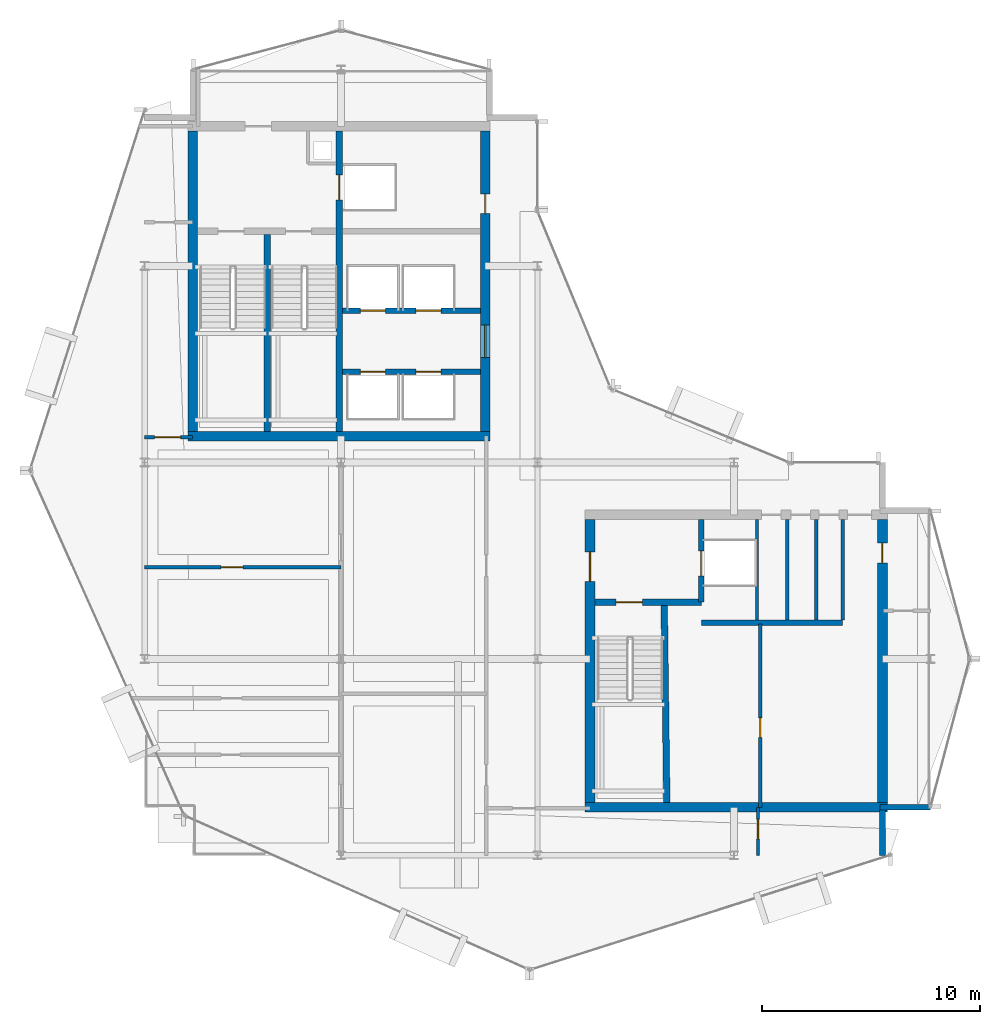
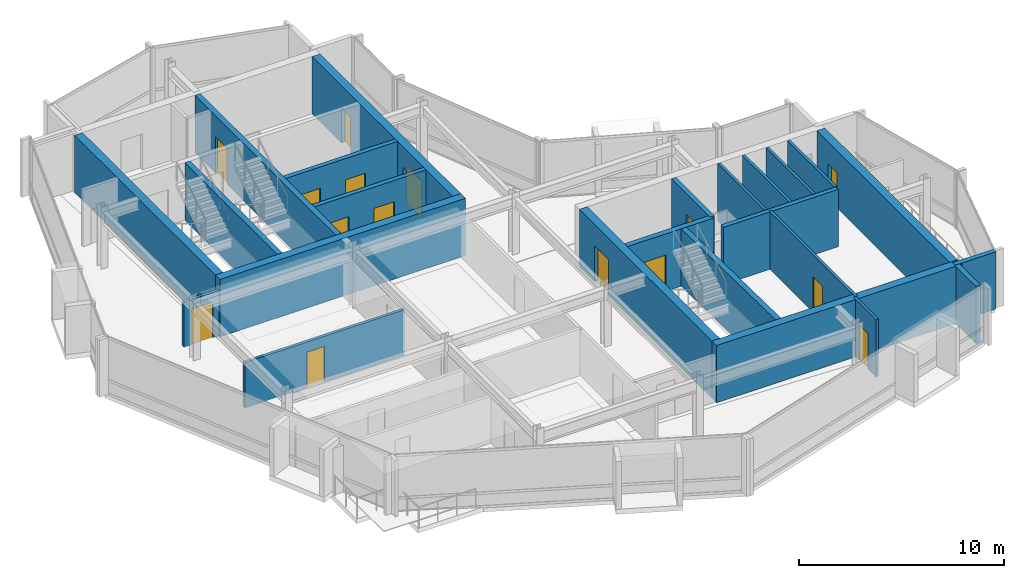
# One storey, part 14 of 19: 24 walls, 15 doors, 15 openings.
"""IFC4 building model written with IfcOpenShell, lengths in metres."""

from ifc_helpers import new_model, si_unit, direction, frame, frame_2d, origin, place, context, subcontext, project, spatial, rectangle, extrude, material, layer, layer_set, type_object, element, fill, save


model = new_model("IFC4")

# Units and contexts
model_context = context("Model", 3, precision=1e-05, world=origin(), true_north=direction((0.0, 1.0)))
body_context = subcontext(model_context, "Body", "Model", "MODEL_VIEW")
ifc_project = project(units=[si_unit("LENGTHUNIT", "METRE"), si_unit("AREAUNIT", "SQUARE_METRE"), si_unit("VOLUMEUNIT", "CUBIC_METRE"), si_unit("PLANEANGLEUNIT", "RADIAN"), si_unit("MASSUNIT", "GRAM", prefix="KILO")], contexts=[model_context])

# Site, building, storey
site_placement = place(None, origin())
site = spatial("IfcSite", under=ifc_project, at=site_placement, CompositionType="ELEMENT")
building_placement = place(site_placement, origin())
building = spatial("IfcBuilding", under=site, at=building_placement, Name="Solvaryn Broadcast Tower", CompositionType="ELEMENT")
storey_placement = place(building_placement, frame((0.0, 0.0, 240.800048828125)))
storey = spatial("IfcBuildingStorey", under=building, at=storey_placement, Name="L60", CompositionType="ELEMENT", Elevation=240.800048828125)

# Walls
ifc_material_1 = material(Name="Concrete f'c 70 MPa", Category="concrete")
ifc_layer_1 = layer(ifc_material_1, 0.449951171875)
ifc_layer_set_1 = layer_set([ifc_layer_1], Name="CW-SHEAR-450")
wall_type_1 = type_object("IfcWallType", Name="CW-SHEAR-450", PredefinedType="SHEAR", material=ifc_layer_set_1)
wall_1_placement = place(storey_placement, frame((10.97509765625, 28.199951171875, 0.0), z_axis=(0.0, 0.0, 1.0), x_axis=(1.0, 0.0, 0.0)))
element("IfcWall", 1, at=wall_1_placement, inside=storey, type_object=wall_type_1, Name="L60 West Core South Shear Wall", PredefinedType="SHEAR", context=body_context, shape_type="SweptSolid", body=[
    extrude(rectangle(XDim=13.849853515625, YDim=0.449951171875, at=frame_2d((6.9248046875, 0.0))), origin(), (0.0, 0.0, 1.0), 3.419921875),
])
wall_2_placement = place(storey_placement, frame((11.199951171875, 42.175048828125, 0.0), z_axis=(0.0, 0.0, 1.0), x_axis=(0.0, -1.0, 0.0)))
element("IfcWall", 2, at=wall_2_placement, inside=storey, type_object=wall_type_1, Name="L60 West Core West Shear Wall", PredefinedType="SHEAR", context=body_context, shape_type="SweptSolid", body=[
    extrude(rectangle(XDim=13.75, YDim=0.449951171875, at=frame_2d((6.875, 0.0))), origin(), (0.0, 0.0, 1.0), 3.419921875),
])

# Wall, openings, doors
wall_3_placement = place(storey_placement, frame((24.60009765625, 28.425048828125, 0.0), z_axis=(0.0, 0.0, 1.0), x_axis=(0.0, 1.0, 0.0)))
wall_3 = element("IfcWall", 3, at=wall_3_placement, inside=storey, type_object=wall_type_1, Name="L60 West Core East Shear Wall", PredefinedType="SHEAR", context=body_context, shape_type="SweptSolid", body=[
    extrude(rectangle(XDim=13.75, YDim=0.449951171875, at=frame_2d((6.875, 0.0))), origin(), (0.0, 0.0, 1.0), 3.419921875),
])
opening_1_placement = place(wall_3_placement, frame((3.375, 0.0, 0.0)))
opening_1 = element("IfcOpeningElement", 4, at=opening_1_placement, cuts=wall_3, Name="Opening FD60A", PredefinedType="OPENING", context=body_context, shape_type="SweptSolid", body=[
    extrude(rectangle(XDim=1.5, YDim=2.199951171875, at=frame_2d((0.75, 1.10009765625))), frame((0.0, 0.235107421875, 0.0), z_axis=(0.0, -1.0, 0.0), x_axis=(1.0, 0.0, 0.0)), (0.0, 0.0, 1.0), 0.469970703125),
])
opening_2_placement = place(wall_3_placement, frame((9.97509765625, 0.0, 0.0)))
opening_2 = element("IfcOpeningElement", 5, at=opening_2_placement, cuts=wall_3, Name="Opening FD60C", PredefinedType="OPENING", context=body_context, shape_type="SweptSolid", body=[
    extrude(rectangle(XDim=0.89990234375, YDim=2.10009765625, at=frame_2d((0.449951171875, 1.050048828125))), frame((0.0, 0.235107421875, 0.0), z_axis=(0.0, -1.0, 0.0), x_axis=(1.0, 0.0, 0.0)), (0.0, 0.0, 1.0), 0.469970703125),
])
ifc_material_2 = material(Name="Flush Acoustic Steel and Timber Door Assembly", Category="steel")
door_type_1 = type_object("IfcDoorType", Name="FD60-CORR-1500X2200", OperationType="NOTDEFINED", PredefinedType="DOOR", material=ifc_material_2)
door_1_placement = place(opening_1_placement, origin())
door_1 = element("IfcDoor", 6, at=door_1_placement, inside=storey, type_object=door_type_1, Name="L60 West Elevator Lobby Corridor Door", OperationType="DOUBLE_DOOR_SINGLE_SWING", OverallHeight=2.199951171875, OverallWidth=1.5, PredefinedType="DOOR", context=body_context, shape_type="SweptSolid", body=[
    extrude(rectangle(XDim=1.5, YDim=2.199951171875, at=frame_2d((0.75, 1.10009765625))), frame((0.0, 0.02490234375, 0.0), z_axis=(0.0, -1.0, 0.0), x_axis=(1.0, 0.0, 0.0)), (0.0, 0.0, 1.0), 0.050048828125),
])
fill(opening_1, door_1)
ifc_material_3 = material(Name="Flush Acoustic Steel and Timber Door Assembly", Category="steel")
door_type_2 = type_object("IfcDoorType", Name="FD60-SERV-900X2100", OperationType="NOTDEFINED", PredefinedType="DOOR", material=ifc_material_3)
door_2_placement = place(opening_2_placement, origin())
door_2 = element("IfcDoor", 7, at=door_2_placement, inside=storey, type_object=door_type_2, Name="L60 West Core Service Door 1", OperationType="SINGLE_SWING_LEFT", OverallHeight=2.10009765625, OverallWidth=0.89990234375, PredefinedType="DOOR", context=body_context, shape_type="SweptSolid", body=[
    extrude(rectangle(XDim=0.89990234375, YDim=2.10009765625, at=frame_2d((0.449951171875, 1.050048828125))), frame((0.0, 0.02490234375, 0.0), z_axis=(0.0, -1.0, 0.0), x_axis=(1.0, 0.0, 0.0)), (0.0, 0.0, 1.0), 0.050048828125),
])
fill(opening_2, door_2)

# Wall
wall_4_placement = place(storey_placement, frame((29.175048828125, 11.199951171875, 0.0), z_axis=(0.0, 0.0, 1.0), x_axis=(1.0, 0.0, 0.0)))
element("IfcWall", 8, at=wall_4_placement, inside=storey, type_object=wall_type_1, Name="L60 East Core South Shear Wall", PredefinedType="SHEAR", context=body_context, shape_type="SweptSolid", body=[
    extrude(rectangle(XDim=13.849853515625, YDim=0.449951171875, at=frame_2d((6.9248046875, 0.0))), origin(), (0.0, 0.0, 1.0), 3.419921875),
])

# Wall, opening, door
wall_5_placement = place(storey_placement, frame((29.39990234375, 24.375, 0.0), z_axis=(0.0, 0.0, 1.0), x_axis=(0.0, -1.0, 0.0)))
wall_5 = element("IfcWall", 9, at=wall_5_placement, inside=storey, type_object=wall_type_1, Name="L60 East Core West Shear Wall", PredefinedType="SHEAR", context=body_context, shape_type="SweptSolid", body=[
    extrude(rectangle(XDim=12.949951171875, YDim=0.449951171875, at=frame_2d((6.47509765625, 0.0))), origin(), (0.0, 0.0, 1.0), 3.419921875),
])
opening_3_placement = place(wall_5_placement, frame((1.47509765625, 0.0, 0.0)))
opening_3 = element("IfcOpeningElement", 10, at=opening_3_placement, cuts=wall_5, Name="Opening FD90B", PredefinedType="OPENING", context=body_context, shape_type="SweptSolid", body=[
    extrude(rectangle(XDim=1.35009765625, YDim=2.14990234375, at=frame_2d((0.675048828125, 1.074951171875))), frame((0.0, 0.235107421875, 0.0), z_axis=(0.0, -1.0, 0.0), x_axis=(1.0, 0.0, 0.0)), (0.0, 0.0, 1.0), 0.469970703125),
])
ifc_material_4 = material(Name="Flush Acoustic Steel and Timber Door Assembly", Category="steel")
door_type_3 = type_object("IfcDoorType", Name="FD90-LOBBY-1350X2150", OperationType="NOTDEFINED", PredefinedType="DOOR", material=ifc_material_4)
door_3_placement = place(opening_3_placement, origin())
door_3 = element("IfcDoor", 11, at=door_3_placement, inside=storey, type_object=door_type_3, Name="L60 East FSAE Lobby Door", OperationType="SINGLE_SWING_RIGHT", OverallHeight=2.14990234375, OverallWidth=1.35009765625, PredefinedType="DOOR", context=body_context, shape_type="SweptSolid", body=[
    extrude(rectangle(XDim=1.35009765625, YDim=2.14990234375, at=frame_2d((0.675048828125, 1.074951171875))), frame((0.0, 0.02490234375, 0.0), z_axis=(0.0, -1.0, 0.0), x_axis=(1.0, 0.0, 0.0)), (0.0, 0.0, 1.0), 0.050048828125),
])
fill(opening_3, door_3)

wall_6_placement = place(storey_placement, frame((42.800048828125, 11.425048828125, 0.0), z_axis=(0.0, 0.0, 1.0), x_axis=(0.0, 1.0, 0.0)))
wall_6 = element("IfcWall", 12, at=wall_6_placement, inside=storey, type_object=wall_type_1, Name="L60 East Core East Shear Wall", PredefinedType="SHEAR", context=body_context, shape_type="SweptSolid", body=[
    extrude(rectangle(XDim=12.949951171875, YDim=0.449951171875, at=frame_2d((6.47509765625, 0.0))), origin(), (0.0, 0.0, 1.0), 3.419921875),
])
opening_4_placement = place(wall_6_placement, frame((10.97509765625, 0.0, 0.0)))
opening_4 = element("IfcOpeningElement", 13, at=opening_4_placement, cuts=wall_6, Name="Opening FD60C", PredefinedType="OPENING", context=body_context, shape_type="SweptSolid", body=[
    extrude(rectangle(XDim=0.89990234375, YDim=2.10009765625, at=frame_2d((0.449951171875, 1.050048828125))), frame((0.0, 0.235107421875, 0.0), z_axis=(0.0, -1.0, 0.0), x_axis=(1.0, 0.0, 0.0)), (0.0, 0.0, 1.0), 0.469970703125),
])
door_4_placement = place(opening_4_placement, origin())
door_4 = element("IfcDoor", 14, at=door_4_placement, inside=storey, type_object=door_type_2, Name="L60 Upper East Studio Door", OperationType="SINGLE_SWING_RIGHT", OverallHeight=2.10009765625, OverallWidth=0.89990234375, PredefinedType="DOOR", context=body_context, shape_type="SweptSolid", body=[
    extrude(rectangle(XDim=0.89990234375, YDim=2.10009765625, at=frame_2d((0.449951171875, 1.050048828125))), frame((0.0, 0.02490234375, 0.0), z_axis=(0.0, -1.0, 0.0), x_axis=(1.0, 0.0, 0.0)), (0.0, 0.0, 1.0), 0.050048828125),
])
fill(opening_4, door_4)

# Walls
ifc_material_5 = material(Name="Concrete f'c 50 MPa", Category="concrete")
ifc_layer_2 = layer(ifc_material_5, 0.260009765625)
ifc_layer_set_2 = layer_set([ifc_layer_2], Name="EW-PIER-260")
wall_type_2 = type_object("IfcWallType", Name="EW-PIER-260", PredefinedType="SOLIDWALL", material=ifc_layer_set_2)
wall_7_placement = place(storey_placement, frame((42.800048828125, 9.0, 0.0), z_axis=(0.0, 0.0, 1.0), x_axis=(0.0, 1.0, 0.0)))
element("IfcWall", 15, at=wall_7_placement, inside=storey, type_object=wall_type_2, Name="L60 Notched Corner Pier Wall NSE1", PredefinedType="SOLIDWALL", context=body_context, shape_type="SweptSolid", body=[
    extrude(rectangle(XDim=2.080078125, YDim=0.260009765625, at=frame_2d((1.0400390625, 0.0))), origin(), (0.0, 0.0, 1.0), 3.419921875),
])
wall_8_placement = place(storey_placement, frame((42.679931640625, 11.199951171875, 0.0), z_axis=(0.0, 0.0, 1.0), x_axis=(1.0, 0.0, 0.0)))
element("IfcWall", 16, at=wall_8_placement, inside=storey, type_object=wall_type_2, Name="L60 Notched Corner Pier Wall NSE2", PredefinedType="SOLIDWALL", context=body_context, shape_type="SweptSolid", body=[
    extrude(rectangle(XDim=2.320068359375, YDim=0.260009765625, at=frame_2d((1.16015625, 0.0))), origin(), (0.0, 0.0, 1.0), 3.419921875),
])

# Wall, opening, door
ifc_material_6 = material(Name="Metal-Stud Service Core Partition")
ifc_layer_3 = layer(ifc_material_6, 0.14990234375)
ifc_layer_set_3 = layer_set([ifc_layer_3], Name="IW-PART-150")
wall_type_3 = type_object("IfcWallType", Name="IW-PART-150", PredefinedType="PARTITIONING", material=ifc_layer_set_3)
wall_9_placement = place(storey_placement, frame((37.199951171875, 11.199951171875, 0.0), z_axis=(0.0, 0.0, 1.0), x_axis=(0.0, 1.0, 0.0)))
wall_9 = element("IfcWall", 17, at=wall_9_placement, inside=storey, type_object=wall_type_3, Name="L60 Interior Partition IW-L60-RPM-V", PredefinedType="PARTITIONING", context=body_context, shape_type="SweptSolid", body=[
    extrude(rectangle(XDim=8.400146484375, YDim=0.14990234375, at=frame_2d((4.2001953125, 0.0))), origin(), (0.0, 0.0, 1.0), 3.419921875),
])
opening_5_placement = place(wall_9_placement, frame((3.199951171875, 0.0, 0.0)))
opening_5 = element("IfcOpeningElement", 18, at=opening_5_placement, cuts=wall_9, Name="Opening FD60C", PredefinedType="OPENING", context=body_context, shape_type="SweptSolid", body=[
    extrude(rectangle(XDim=0.89990234375, YDim=2.10009765625, at=frame_2d((0.449951171875, 1.050048828125))), frame((0.0, 0.0849609375, 0.0), z_axis=(0.0, -1.0, 0.0), x_axis=(1.0, 0.0, 0.0)), (0.0, 0.0, 1.0), 0.169921875),
])
door_5_placement = place(opening_5_placement, origin())
door_5 = element("IfcDoor", 19, at=door_5_placement, inside=storey, type_object=door_type_2, Name="L60 Door DR-L60-RPM1", OperationType="SINGLE_SWING_LEFT", OverallHeight=2.10009765625, OverallWidth=0.89990234375, PredefinedType="DOOR", context=body_context, shape_type="SweptSolid", body=[
    extrude(rectangle(XDim=0.89990234375, YDim=2.10009765625, at=frame_2d((0.449951171875, 1.050048828125))), frame((0.0, 0.02490234375, 0.0), z_axis=(0.0, -1.0, 0.0), x_axis=(1.0, 0.0, 0.0)), (0.0, 0.0, 1.0), 0.050048828125),
])
fill(opening_5, door_5)

# Walls
for number, where, z_axis, x_axis, name in (
    (20, (37.050048828125, 19.780029296875, 0.0), (0.0, 0.0, 1.0), (0.0, 1.0, 0.0), "L60 Interior Partition IW-L60-CE-FL2E"),
    (21, (38.43994140625, 19.780029296875, 0.0), (0.0, 0.0, 1.0), (0.0, 1.0, 0.0), "L60 Interior Partition IW-L60-CE-V1"),
    (22, (39.77001953125, 19.780029296875, 0.0), (0.0, 0.0, 1.0), (0.0, 1.0, 0.0), "L60 Interior Partition IW-L60-CE-V2"),
    (23, (40.97998046875, 19.780029296875, 0.0), (0.0, 0.0, 1.0), (0.0, 1.0, 0.0), "L60 Interior Partition IW-L60-CE-V3"),
):
    element("IfcWall", number, at=place(storey_placement, frame(where, z_axis=z_axis, x_axis=x_axis)), inside=storey, type_object=wall_type_3, Name=name, PredefinedType="PARTITIONING", context=body_context, shape_type="SweptSolid", body=[
        extrude(rectangle(XDim=4.594970703125, YDim=0.14990234375, at=frame_2d((2.29736328125, 0.0))), origin(), (0.0, 0.0, 1.0), 3.419921875),
    ])

# Wall, opening, door
wall_10_placement = place(storey_placement, frame((37.10009765625, 9.0, 0.0), z_axis=(0.0, 0.0, 1.0), x_axis=(0.0, 1.0, 0.0)))
wall_10 = element("IfcWall", 24, at=wall_10_placement, inside=storey, type_object=wall_type_3, Name="L60 Interior Partition IW-L60-SC-V", PredefinedType="PARTITIONING", context=body_context, shape_type="SweptSolid", body=[
    extrude(rectangle(XDim=2.199951171875, YDim=0.14990234375, at=frame_2d((1.10009765625, 0.0))), origin(), (0.0, 0.0, 1.0), 3.419921875),
])
opening_6_placement = place(wall_10_placement, frame((0.75, 0.0, 0.0)))
opening_6 = element("IfcOpeningElement", 25, at=opening_6_placement, cuts=wall_10, Name="Opening FD60C", PredefinedType="OPENING", context=body_context, shape_type="SweptSolid", body=[
    extrude(rectangle(XDim=0.89990234375, YDim=2.10009765625, at=frame_2d((0.449951171875, 1.050048828125))), frame((0.0, 0.0849609375, 0.0), z_axis=(0.0, -1.0, 0.0), x_axis=(1.0, 0.0, 0.0)), (0.0, 0.0, 1.0), 0.169921875),
])
door_6_placement = place(opening_6_placement, origin())
door_6 = element("IfcDoor", 26, at=door_6_placement, inside=storey, type_object=door_type_2, Name="L60 Door DR-L60-SC1", OperationType="SINGLE_SWING_RIGHT", OverallHeight=2.10009765625, OverallWidth=0.89990234375, PredefinedType="DOOR", context=body_context, shape_type="SweptSolid", body=[
    extrude(rectangle(XDim=0.89990234375, YDim=2.10009765625, at=frame_2d((0.449951171875, 1.050048828125))), frame((0.0, 0.02490234375, 0.0), z_axis=(0.0, -1.0, 0.0), x_axis=(1.0, 0.0, 0.0)), (0.0, 0.0, 1.0), 0.050048828125),
])
fill(opening_6, door_6)

ifc_material_7 = material(Name="Metal-Stud Gypsum Office Partition")
ifc_layer_4 = layer(ifc_material_7, 0.159912109375)
ifc_layer_set_4 = layer_set([ifc_layer_4], Name="IW-PART-160")
wall_type_4 = type_object("IfcWallType", Name="IW-PART-160", PredefinedType="PARTITIONING", material=ifc_layer_set_4)
wall_11_placement = place(storey_placement, frame((9.0, 28.14990234375, 0.0), z_axis=(0.0, 0.0, 1.0), x_axis=(1.0, 0.0, 0.0)))
wall_11 = element("IfcWall", 27, at=wall_11_placement, inside=storey, type_object=wall_type_4, Name="L60 Interior Partition IW-L60-WM-S", PredefinedType="PARTITIONING", context=body_context, shape_type="SweptSolid", body=[
    extrude(rectangle(XDim=2.199951171875, YDim=0.159912109375, at=frame_2d((1.10009765625, 0.0))), origin(), (0.0, 0.0, 1.0), 2.70703125),
])
opening_7_placement = place(wall_11_placement, frame((0.449951171875, 0.0, 0.0)))
opening_7 = element("IfcOpeningElement", 28, at=opening_7_placement, cuts=wall_11, Name="Opening ID04", PredefinedType="OPENING", context=body_context, shape_type="SweptSolid", body=[
    extrude(rectangle(XDim=1.199951171875, YDim=2.14990234375, at=frame_2d((0.60009765625, 1.074951171875))), frame((0.0, 0.090087890625, 0.0), z_axis=(0.0, -1.0, 0.0), x_axis=(1.0, 0.0, 0.0)), (0.0, 0.0, 1.0), 0.179931640625),
])
ifc_material_8 = material(Name="Flush Acoustic Steel and Timber Door Assembly", Category="steel")
door_type_4 = type_object("IfcDoorType", Name="ID-04-1200X2150", OperationType="NOTDEFINED", PredefinedType="DOOR", material=ifc_material_8)
door_7_placement = place(opening_7_placement, origin())
door_7 = element("IfcDoor", 29, at=door_7_placement, inside=storey, type_object=door_type_4, Name="L60 Door DR-L60-WM0", OperationType="SINGLE_SWING_RIGHT", OverallHeight=2.14990234375, OverallWidth=1.199951171875, PredefinedType="DOOR", context=body_context, shape_type="SweptSolid", body=[
    extrude(rectangle(XDim=1.199951171875, YDim=2.14990234375, at=frame_2d((0.60009765625, 1.074951171875))), frame((0.0, 0.02490234375, 0.0), z_axis=(0.0, -1.0, 0.0), x_axis=(1.0, 0.0, 0.0)), (0.0, 0.0, 1.0), 0.050048828125),
])
fill(opening_7, door_7)

wall_12_placement = place(storey_placement, frame((9.0, 22.199951171875, 0.0), z_axis=(0.0, 0.0, 1.0), x_axis=(1.0, 0.0, 0.0)))
wall_12 = element("IfcWall", 30, at=wall_12_placement, inside=storey, type_object=wall_type_4, Name="L60 Interior Partition IW-L60-SWW-H3", PredefinedType="PARTITIONING", context=body_context, shape_type="SweptSolid", body=[
    extrude(rectangle(XDim=9.0, YDim=0.159912109375, at=frame_2d((4.5, 0.0))), origin(), (0.0, 0.0, 1.0), 2.70703125),
])
opening_8_placement = place(wall_12_placement, frame((3.5, 0.0, 0.0)))
opening_8 = element("IfcOpeningElement", 31, at=opening_8_placement, cuts=wall_12, Name="Opening ID02", PredefinedType="OPENING", context=body_context, shape_type="SweptSolid", body=[
    extrude(rectangle(XDim=1.0, YDim=2.10009765625, at=frame_2d((0.5, 1.050048828125))), frame((0.0, 0.090087890625, 0.0), z_axis=(0.0, -1.0, 0.0), x_axis=(1.0, 0.0, 0.0)), (0.0, 0.0, 1.0), 0.179931640625),
])
ifc_material_9 = material(Name="Flush Acoustic Steel and Timber Door Assembly", Category="steel")
door_type_5 = type_object("IfcDoorType", Name="ID-02-1000X2100", OperationType="NOTDEFINED", PredefinedType="DOOR", material=ifc_material_9)
door_8_placement = place(opening_8_placement, origin())
door_8 = element("IfcDoor", 32, at=door_8_placement, inside=storey, type_object=door_type_5, Name="L60 Door DR-L60-SWW-3", OperationType="SINGLE_SWING_RIGHT", OverallHeight=2.10009765625, OverallWidth=1.0, PredefinedType="DOOR", context=body_context, shape_type="SweptSolid", body=[
    extrude(rectangle(XDim=1.0, YDim=2.10009765625, at=frame_2d((0.5, 1.050048828125))), frame((0.0, 0.02490234375, 0.0), z_axis=(0.0, -1.0, 0.0), x_axis=(1.0, 0.0, 0.0)), (0.0, 0.0, 1.0), 0.050048828125),
])
fill(opening_8, door_8)

# Wall, openings, doors
ifc_material_10 = material(Name="Concrete f'c 60 MPa", Category="concrete")
ifc_layer_5 = layer(ifc_material_10, 0.25)
ifc_layer_set_5 = layer_set([ifc_layer_5], Name="SW-SHAFT-250")
wall_type_5 = type_object("IfcWallType", Name="SW-SHAFT-250", PredefinedType="PARTITIONING", material=ifc_layer_set_5)
wall_13_placement = place(storey_placement, frame((18.070068359375, 31.14990234375, 0.0), z_axis=(0.0, 0.0, 1.0), x_axis=(1.0, 0.0, 0.0)))
wall_13 = element("IfcWall", 33, at=wall_13_placement, inside=storey, type_object=wall_type_5, Name="L60 High-Rise Lift Bank South Wall", PredefinedType="PARTITIONING", context=body_context, shape_type="SweptSolid", body=[
    extrude(rectangle(XDim=6.304931640625, YDim=0.25, at=frame_2d((3.15234375, 0.0))), origin(), (0.0, 0.0, 1.0), 3.419921875),
])
opening_9_placement = place(wall_13_placement, frame((0.804931640625, 0.0, 0.0)))
opening_9 = element("IfcOpeningElement", 34, at=opening_9_placement, cuts=wall_13, Name="Opening LD01", PredefinedType="OPENING", context=body_context, shape_type="SweptSolid", body=[
    extrude(rectangle(XDim=1.14990234375, YDim=2.14990234375, at=frame_2d((0.574951171875, 1.074951171875))), frame((0.0, 0.135009765625, 0.0), z_axis=(0.0, -1.0, 0.0), x_axis=(1.0, 0.0, 0.0)), (0.0, 0.0, 1.0), 0.27001953125),
])
opening_10_placement = place(wall_13_placement, frame((3.35498046875, 0.0, 0.0)))
opening_10 = element("IfcOpeningElement", 35, at=opening_10_placement, cuts=wall_13, Name="Opening LD01", PredefinedType="OPENING", context=body_context, shape_type="SweptSolid", body=[
    extrude(rectangle(XDim=1.14990234375, YDim=2.14990234375, at=frame_2d((0.574951171875, 1.074951171875))), frame((0.0, 0.135009765625, 0.0), z_axis=(0.0, -1.0, 0.0), x_axis=(1.0, 0.0, 0.0)), (0.0, 0.0, 1.0), 0.27001953125),
])
ifc_material_11 = material(Name="Flush Acoustic Steel and Timber Door Assembly", Category="steel")
door_type_6 = type_object("IfcDoorType", Name="LD-LIFT-1150X2150", OperationType="NOTDEFINED", PredefinedType="DOOR", material=ifc_material_11)
door_9_placement = place(opening_9_placement, origin())
door_9 = element("IfcDoor", 36, at=door_9_placement, inside=storey, type_object=door_type_6, Name="L60 PH1 Lift Landing Door", OperationType="DOUBLE_DOOR_SLIDING", OverallHeight=2.14990234375, OverallWidth=1.14990234375, PredefinedType="DOOR", context=body_context, shape_type="SweptSolid", body=[
    extrude(rectangle(XDim=1.14990234375, YDim=2.14990234375, at=frame_2d((0.574951171875, 1.074951171875))), frame((0.0, 0.02490234375, 0.0), z_axis=(0.0, -1.0, 0.0), x_axis=(1.0, 0.0, 0.0)), (0.0, 0.0, 1.0), 0.050048828125),
])
fill(opening_9, door_9)
door_10_placement = place(opening_10_placement, origin())
door_10 = element("IfcDoor", 37, at=door_10_placement, inside=storey, type_object=door_type_6, Name="L60 PH2 Lift Landing Door", OperationType="DOUBLE_DOOR_SLIDING", OverallHeight=2.14990234375, OverallWidth=1.14990234375, PredefinedType="DOOR", context=body_context, shape_type="SweptSolid", body=[
    extrude(rectangle(XDim=1.14990234375, YDim=2.14990234375, at=frame_2d((0.574951171875, 1.074951171875))), frame((0.0, 0.02490234375, 0.0), z_axis=(0.0, -1.0, 0.0), x_axis=(1.0, 0.0, 0.0)), (0.0, 0.0, 1.0), 0.050048828125),
])
fill(opening_10, door_10)

wall_14_placement = place(storey_placement, frame((24.375, 33.949951171875, 0.0), z_axis=(0.0, 0.0, 1.0), x_axis=(-1.0, 0.0, 0.0)))
wall_14 = element("IfcWall", 38, at=wall_14_placement, inside=storey, type_object=wall_type_5, Name="L60 High-Rise Lift Bank North Wall", PredefinedType="PARTITIONING", context=body_context, shape_type="SweptSolid", body=[
    extrude(rectangle(XDim=6.304931640625, YDim=0.25, at=frame_2d((3.15234375, 0.0))), origin(), (0.0, 0.0, 1.0), 3.419921875),
])
opening_11_placement = place(wall_14_placement, frame((4.35009765625, 0.0, 0.0)))
opening_11 = element("IfcOpeningElement", 39, at=opening_11_placement, cuts=wall_14, Name="Opening LD01", PredefinedType="OPENING", context=body_context, shape_type="SweptSolid", body=[
    extrude(rectangle(XDim=1.14990234375, YDim=2.14990234375, at=frame_2d((0.574951171875, 1.074951171875))), frame((0.0, 0.135009765625, 0.0), z_axis=(0.0, -1.0, 0.0), x_axis=(1.0, 0.0, 0.0)), (0.0, 0.0, 1.0), 0.27001953125),
])
opening_12_placement = place(wall_14_placement, frame((1.800048828125, 0.0, 0.0)))
opening_12 = element("IfcOpeningElement", 40, at=opening_12_placement, cuts=wall_14, Name="Opening LD01", PredefinedType="OPENING", context=body_context, shape_type="SweptSolid", body=[
    extrude(rectangle(XDim=1.14990234375, YDim=2.14990234375, at=frame_2d((0.574951171875, 1.074951171875))), frame((0.0, 0.135009765625, 0.0), z_axis=(0.0, -1.0, 0.0), x_axis=(1.0, 0.0, 0.0)), (0.0, 0.0, 1.0), 0.27001953125),
])
door_11_placement = place(opening_11_placement, origin())
door_11 = element("IfcDoor", 41, at=door_11_placement, inside=storey, type_object=door_type_6, Name="L60 PH3 Lift Landing Door", OperationType="DOUBLE_DOOR_SLIDING", OverallHeight=2.14990234375, OverallWidth=1.14990234375, PredefinedType="DOOR", context=body_context, shape_type="SweptSolid", body=[
    extrude(rectangle(XDim=1.14990234375, YDim=2.14990234375, at=frame_2d((0.574951171875, 1.074951171875))), frame((0.0, 0.02490234375, 0.0), z_axis=(0.0, -1.0, 0.0), x_axis=(1.0, 0.0, 0.0)), (0.0, 0.0, 1.0), 0.050048828125),
])
fill(opening_11, door_11)
door_12_placement = place(opening_12_placement, origin())
door_12 = element("IfcDoor", 42, at=door_12_placement, inside=storey, type_object=door_type_6, Name="L60 PH4 Lift Landing Door", OperationType="DOUBLE_DOOR_SLIDING", OverallHeight=2.14990234375, OverallWidth=1.14990234375, PredefinedType="DOOR", context=body_context, shape_type="SweptSolid", body=[
    extrude(rectangle(XDim=1.14990234375, YDim=2.14990234375, at=frame_2d((0.574951171875, 1.074951171875))), frame((0.0, 0.02490234375, 0.0), z_axis=(0.0, -1.0, 0.0), x_axis=(1.0, 0.0, 0.0)), (0.0, 0.0, 1.0), 0.050048828125),
])
fill(opening_12, door_12)

# Wall, opening, door
wall_15_placement = place(storey_placement, frame((34.5, 20.60009765625, 0.0), z_axis=(0.0, 0.0, 1.0), x_axis=(0.0, 1.0, 0.0)))
wall_15 = element("IfcWall", 43, at=wall_15_placement, inside=storey, type_object=wall_type_5, Name="L60 East FSAE Lobby East Wall", PredefinedType="PARTITIONING", context=body_context, shape_type="SweptSolid", body=[
    extrude(rectangle(XDim=3.77490234375, YDim=0.25, at=frame_2d((1.887451171875, 0.0))), origin(), (0.0, 0.0, 1.0), 3.419921875),
])
opening_13_placement = place(wall_15_placement, frame((1.199951171875, 0.0, 0.0)))
opening_13 = element("IfcOpeningElement", 44, at=opening_13_placement, cuts=wall_15, Name="Opening LD01", PredefinedType="OPENING", context=body_context, shape_type="SweptSolid", body=[
    extrude(rectangle(XDim=1.14990234375, YDim=2.14990234375, at=frame_2d((0.574951171875, 1.074951171875))), frame((0.0, 0.135009765625, 0.0), z_axis=(0.0, -1.0, 0.0), x_axis=(1.0, 0.0, 0.0)), (0.0, 0.0, 1.0), 0.27001953125),
])
door_13_placement = place(opening_13_placement, origin())
door_13 = element("IfcDoor", 45, at=door_13_placement, inside=storey, type_object=door_type_6, Name="L60 FL2 Lift Landing Door", OperationType="DOUBLE_DOOR_SLIDING", OverallHeight=2.14990234375, OverallWidth=1.14990234375, PredefinedType="DOOR", context=body_context, shape_type="SweptSolid", body=[
    extrude(rectangle(XDim=1.14990234375, YDim=2.14990234375, at=frame_2d((0.574951171875, 1.074951171875))), frame((0.0, 0.02490234375, 0.0), z_axis=(0.0, -1.0, 0.0), x_axis=(1.0, 0.0, 0.0)), (0.0, 0.0, 1.0), 0.050048828125),
])
fill(opening_13, door_13)

# Walls
wall_16_placement = place(storey_placement, frame((34.5, 19.64990234375, 0.0), z_axis=(0.0, 0.0, 1.0), x_axis=(1.0, 0.0, 0.0)))
element("IfcWall", 46, at=wall_16_placement, inside=storey, type_object=wall_type_5, Name="L60 East Core Restroom South Wall", PredefinedType="PARTITIONING", context=body_context, shape_type="SweptSolid", body=[
    extrude(rectangle(XDim=6.47998046875, YDim=0.25, at=frame_2d((3.239990234375, 0.0))), origin(), (0.0, 0.0, 1.0), 3.419921875),
])
ifc_material_12 = material(Name="Concrete f'c 70 MPa", Category="concrete")
ifc_layer_6 = layer(ifc_material_12, 0.300048828125)
ifc_layer_set_6 = layer_set([ifc_layer_6], Name="SW-SHAFT-300")
wall_type_6 = type_object("IfcWallType", Name="SW-SHAFT-300", PredefinedType="SHEAR", material=ifc_layer_set_6)
wall_17_placement = place(storey_placement, frame((14.6201171875, 28.425048828125, 0.0), z_axis=(0.0, 0.0, 1.0), x_axis=(0.0, 1.0, 0.0)))
element("IfcWall", 47, at=wall_17_placement, inside=storey, type_object=wall_type_6, Name="L60 Stair 1-2 Dividing Wall", PredefinedType="SHEAR", context=body_context, shape_type="SweptSolid", body=[
    extrude(rectangle(XDim=9.02490234375, YDim=0.300048828125, at=frame_2d((4.512451171875, 0.0))), origin(), (0.0, 0.0, 1.0), 3.419921875),
])

# Wall, opening, door
wall_18_placement = place(storey_placement, frame((17.919921875, 42.175048828125, 0.0), z_axis=(0.0, 0.0, 1.0), x_axis=(0.0, -1.0, 0.0)))
wall_18 = element("IfcWall", 48, at=wall_18_placement, inside=storey, type_object=wall_type_6, Name="L60 West Core Stair-Lobby Shear Wall", PredefinedType="SHEAR", context=body_context, shape_type="SweptSolid", body=[
    extrude(rectangle(XDim=13.75, YDim=0.300048828125, at=frame_2d((6.875, 0.0))), origin(), (0.0, 0.0, 1.0), 3.419921875),
])
opening_14_placement = place(wall_18_placement, frame((2.0, 0.0, 0.0)))
opening_14 = element("IfcOpeningElement", 49, at=opening_14_placement, cuts=wall_18, Name="Opening LD01", PredefinedType="OPENING", context=body_context, shape_type="SweptSolid", body=[
    extrude(rectangle(XDim=1.14990234375, YDim=2.14990234375, at=frame_2d((0.574951171875, 1.074951171875))), frame((0.0, 0.159912109375, 0.0), z_axis=(0.0, -1.0, 0.0), x_axis=(1.0, 0.0, 0.0)), (0.0, 0.0, 1.0), 0.320068359375),
])
door_14_placement = place(opening_14_placement, origin())
door_14 = element("IfcDoor", 50, at=door_14_placement, inside=storey, type_object=door_type_6, Name="L60 FL1 Lift Landing Door", OperationType="DOUBLE_DOOR_SLIDING", OverallHeight=2.14990234375, OverallWidth=1.14990234375, PredefinedType="DOOR", context=body_context, shape_type="SweptSolid", body=[
    extrude(rectangle(XDim=1.14990234375, YDim=2.14990234375, at=frame_2d((0.574951171875, 1.074951171875))), frame((0.0, 0.02490234375, 0.0), z_axis=(0.0, -1.0, 0.0), x_axis=(1.0, 0.0, 0.0)), (0.0, 0.0, 1.0), 0.050048828125),
])
fill(opening_14, door_14)

# Wall
wall_19_placement = place(storey_placement, frame((32.919921875, 11.425048828125, 0.0), z_axis=(0.0, 0.0, 1.0), x_axis=(-0.013135638869, 0.999913723774, 0.0)))
element("IfcWall", 51, at=wall_19_placement, inside=storey, type_object=wall_type_6, Name="L60 Stair 3 East Shear Wall", PredefinedType="SHEAR", context=body_context, shape_type="SweptSolid", body=[
    extrude(rectangle(XDim=9.125732421875, YDim=0.300048828125, at=frame_2d((4.56298828125, 0.0))), origin(), (0.0, 0.0, 1.0), 3.419921875),
])

# Wall, opening, door
wall_20_placement = place(storey_placement, frame((34.5, 20.60009765625, 0.0), z_axis=(0.0, 0.0, 1.0), x_axis=(-1.0, 0.0, 0.0)))
wall_20 = element("IfcWall", 52, at=wall_20_placement, inside=storey, type_object=wall_type_6, Name="L60 East FSAE Lobby South Wall", PredefinedType="SHEAR", context=body_context, shape_type="SweptSolid", body=[
    extrude(rectangle(XDim=4.875, YDim=0.300048828125, at=frame_2d((2.4375, 0.0))), origin(), (0.0, 0.0, 1.0), 3.419921875),
])
opening_15_placement = place(wall_20_placement, frame((2.699951171875, 0.0, 0.0)))
opening_15 = element("IfcOpeningElement", 53, at=opening_15_placement, cuts=wall_20, Name="Opening FD90A", PredefinedType="OPENING", context=body_context, shape_type="SweptSolid", body=[
    extrude(rectangle(XDim=1.199951171875, YDim=2.14990234375, at=frame_2d((0.60009765625, 1.074951171875))), frame((0.0, 0.159912109375, 0.0), z_axis=(0.0, -1.0, 0.0), x_axis=(1.0, 0.0, 0.0)), (0.0, 0.0, 1.0), 0.320068359375),
])
ifc_material_13 = material(Name="Flush Acoustic Steel and Timber Door Assembly", Category="steel")
door_type_7 = type_object("IfcDoorType", Name="FD90-STAIR-1200X2150", OperationType="NOTDEFINED", PredefinedType="DOOR", material=ifc_material_13)
door_15_placement = place(opening_15_placement, origin())
door_15 = element("IfcDoor", 54, at=door_15_placement, inside=storey, type_object=door_type_7, Name="L60 Stair 3 Fire Door", OperationType="SINGLE_SWING_LEFT", OverallHeight=2.14990234375, OverallWidth=1.199951171875, PredefinedType="DOOR", context=body_context, shape_type="SweptSolid", body=[
    extrude(rectangle(XDim=1.199951171875, YDim=2.14990234375, at=frame_2d((0.60009765625, 1.074951171875))), frame((0.0, 0.02490234375, 0.0), z_axis=(0.0, -1.0, 0.0), x_axis=(1.0, 0.0, 0.0)), (0.0, 0.0, 1.0), 0.050048828125),
])
fill(opening_15, door_15)

save(model, "model.ifc")
